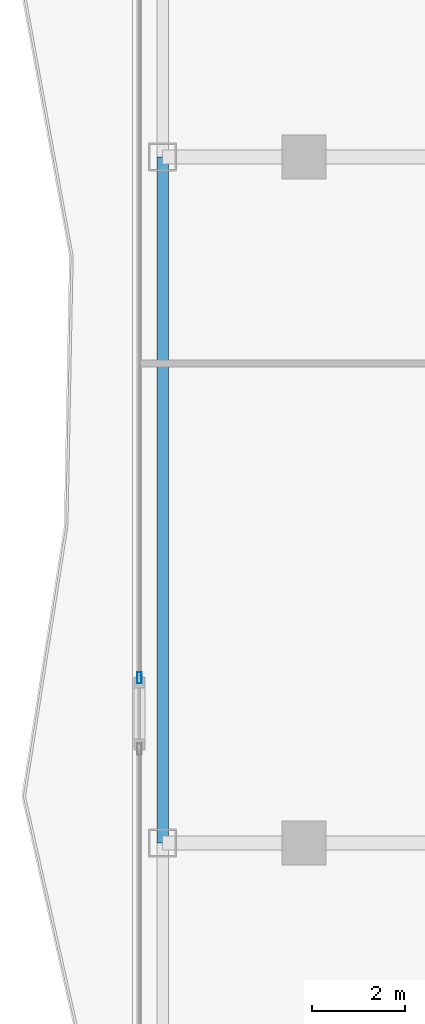
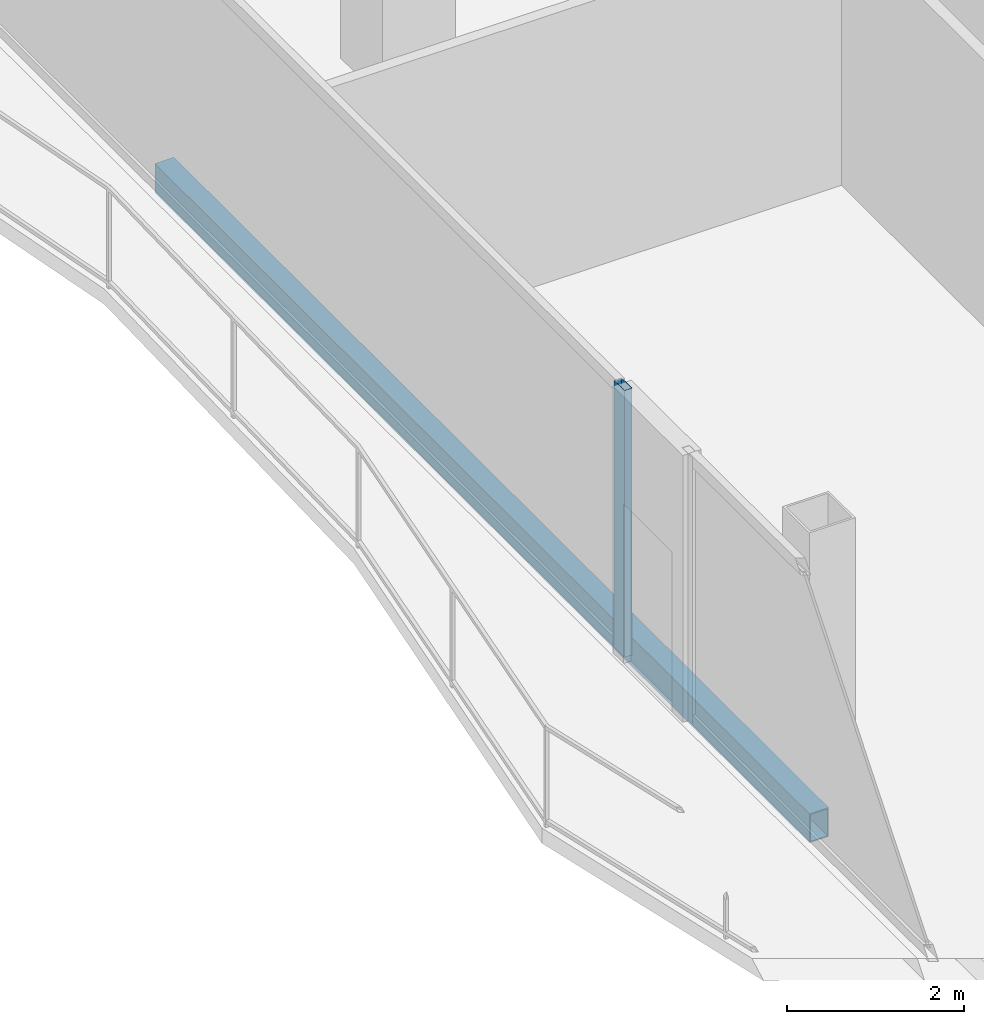
# One storey, part 8 of 27: 1 beam, 1 member, 1 element without a shape of its own.
"""IFC4 building model written with IfcOpenShell, lengths in metres."""

from ifc_helpers import new_model, si_unit, direction, frame, origin, origin_2d, place, context, subcontext, project, spatial, hollow_rectangle, extrude, material, layer, layer_set, material_profile, profile_set, type_object, element, aggregate, save


model = new_model("IFC4")

# Units and contexts
model_context = context("Model", 3, precision=1e-05, world=origin(), true_north=direction((0.0, 1.0)))
body_context = subcontext(model_context, "Body", "Model", "MODEL_VIEW")
ifc_project = project(units=[si_unit("LENGTHUNIT", "METRE"), si_unit("AREAUNIT", "SQUARE_METRE"), si_unit("VOLUMEUNIT", "CUBIC_METRE"), si_unit("PLANEANGLEUNIT", "RADIAN"), si_unit("MASSUNIT", "GRAM", prefix="KILO")], contexts=[model_context])

# Site, building, storey
site_placement = place(None, origin())
site = spatial("IfcSite", under=ifc_project, at=site_placement, CompositionType="ELEMENT")
building_placement = place(site_placement, origin())
building = spatial("IfcBuilding", under=site, at=building_placement, Name="Khorvyn Point Tower", CompositionType="ELEMENT")
storey_placement = place(building_placement, frame((0.0, 0.0, 243.0)))
storey = spatial("IfcBuildingStorey", under=building, at=storey_placement, Name="L59", CompositionType="ELEMENT", Elevation=243.0)

# Curtain wall, member
ifc_material_1 = material(Name="Anodised aluminium 6063-T6 and laminated Low-E glass", Category="aluminium")
ifc_layer = layer(ifc_material_1, 0.18994140625)
ifc_layer_set = layer_set([ifc_layer], Name="Stick-Built Acoustic Curtain Wall CW-SYS-03")
curtain_wall_type = type_object("IfcCurtainWallType", Name="Stick-Built Acoustic Curtain Wall CW-SYS-03", PredefinedType="NOTDEFINED", material=ifc_layer_set)
curtain_wall_placement = place(storey_placement, origin())
curtain_wall = element("IfcCurtainWall", 1, at=curtain_wall_placement, inside=storey, type_object=curtain_wall_type, Name="Curtain Wall", PredefinedType="NOTDEFINED")
ifc_material_2 = material(Name="Anodised aluminium 6063-T6", Category="aluminium")
ifc_material_profile_1 = material_profile(ifc_material_2, hollow_rectangle(XDim=0.10009765625, YDim=0.239990234375, WallThickness=0.0048828125, at=origin_2d()))
ifc_profile_set_1 = profile_set([ifc_material_profile_1], Name="Anodised aluminium 6063-T6 ALU-MUL-100x240")
member_type = type_object("IfcMemberType", Name="Anodised Aluminium 6063-T6 Mullion ALU-MUL-100x240", PredefinedType="MULLION", material=ifc_profile_set_1)
member_placement = place(storey_placement, frame((-18.35009765625, -3.8349609375, 0.0), z_axis=(0.0, 0.0, 1.0), x_axis=(-1.0, 0.0, 0.0)))
member = element("IfcMember", 2, at=member_placement, type_object=member_type, Name="Transom", PredefinedType="MULLION", context=body_context, shape_type="SweptSolid", body=[
    extrude(hollow_rectangle(XDim=0.10009765625, YDim=0.239990234375, WallThickness=0.0048828125, at=origin_2d()), origin(), (0.0, 0.0, 1.0), 3.679931640625),
])
aggregate(curtain_wall, [member])

# Beam
ifc_material_3 = material(Name="Steel S355", Category="steel")
ifc_material_profile_2 = material_profile(ifc_material_3, hollow_rectangle(XDim=0.25, YDim=0.39990234375, WallThickness=0.01611328125, at=origin_2d()))
ifc_profile_set_2 = profile_set([ifc_material_profile_2], Name="Steel S355 RHS400x250x16")
beam_type = type_object("IfcBeamType", Name="Steel S355 Spandrel RHS400x250x16", PredefinedType="SPANDREL", material=ifc_profile_set_2)
beam_placement = place(storey_placement, frame((-17.85009765625, -7.39990234375, -0.419921875), z_axis=(0.0, 1.0, 0.0), x_axis=(-1.0, 0.0, 0.0)))
element("IfcBeam", 3, at=beam_placement, inside=storey, type_object=beam_type, Name="Beam", PredefinedType="SPANDREL", context=body_context, shape_type="SweptSolid", body=[
    extrude(hollow_rectangle(XDim=0.25, YDim=0.39990234375, WallThickness=0.01611328125, at=origin_2d()), origin(), (0.0, 0.0, 1.0), 14.7998046875),
])

save(model, "model.ifc")
